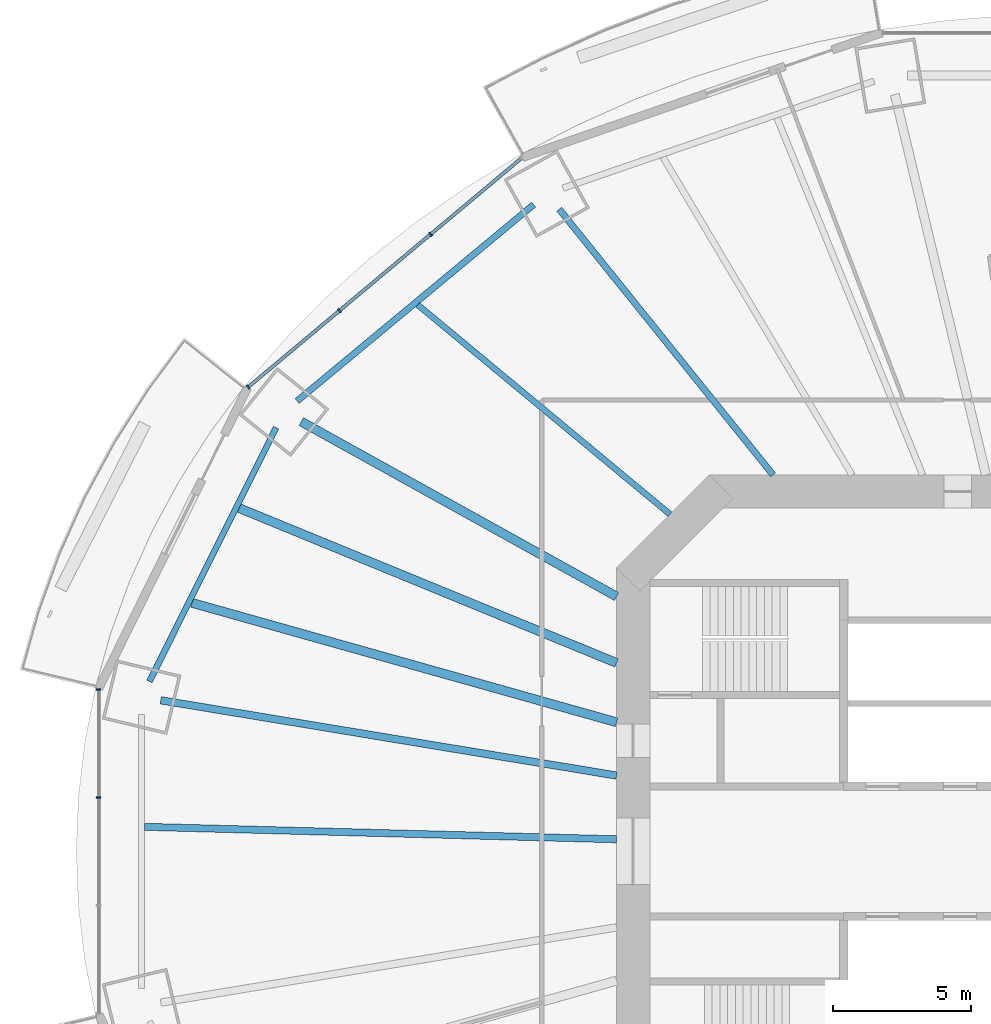
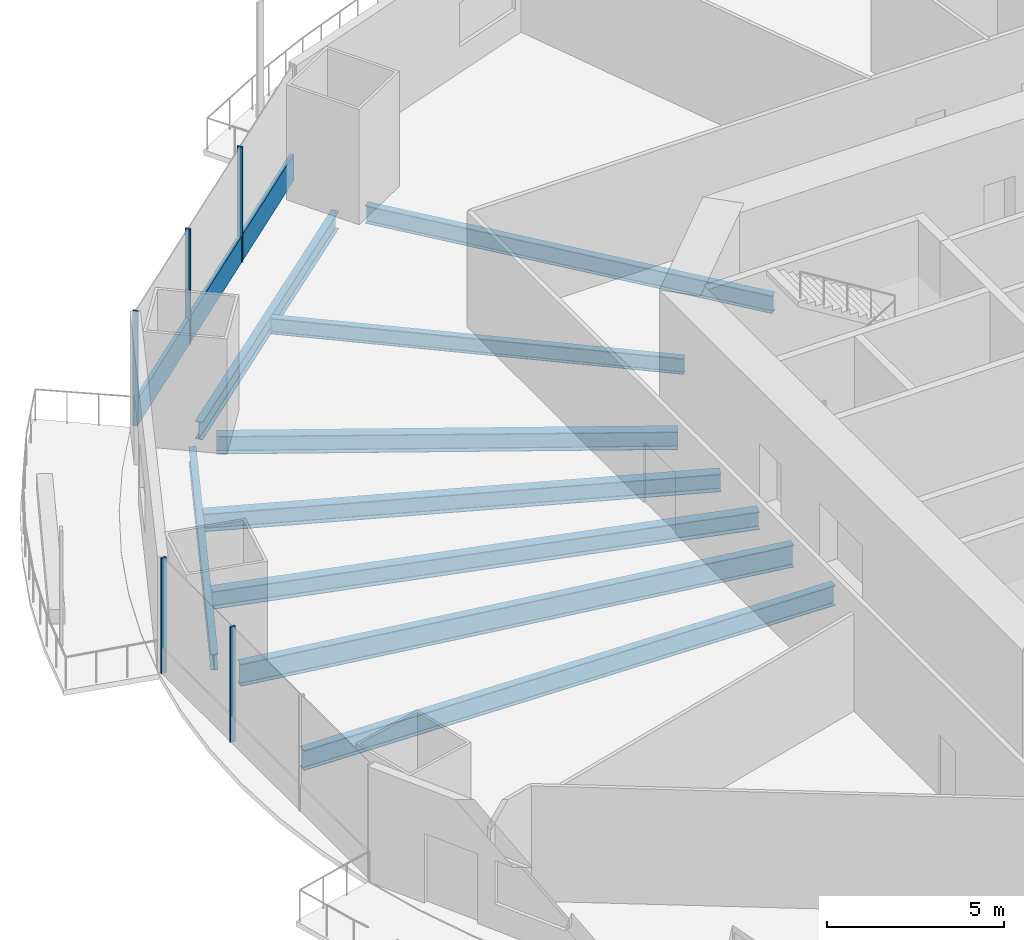
# One storey, part 6 of 23: 9 beams, 6 members, 2 elements without a shape of their own.
"""IFC4 building model written with IfcOpenShell, lengths in metres."""

import ifcopenshell
import ifcopenshell.guid

model = None  # the IFC model being written
_history = None  # IfcOwnerHistory: only IFC2X3 demands one
_inside = {}  # id of a spatial element -> (the spatial element, [elements in it])
_under = {}  # id of a project, library or spatial element -> (it, [spatial elements below it])
_declared = {}  # id of a project -> (the project, [libraries it declares])
_typed = {}  # id of a type object -> (the type object, [elements of that type])
_made_of = {}  # id of a material, layer set ... -> (it, [elements and type objects made of it])


def new_model(schema):
    """Start an empty IFC model of exactly this schema.

    Asked for "IFC4X3", IfcOpenShell would pick the latest addendum, in which some entities
    have other attributes; the version numbers below select the first issue.
    IFC2X3 requires an IfcOwnerHistory on every rooted entity: one is made here for all.
    """
    global model, _history
    if schema == "IFC4X3":
        model = ifcopenshell.file(schema_version=(4, 3, 0, 0))
    else:
        model = ifcopenshell.file(schema=schema)
    _inside.clear()
    _under.clear()
    _declared.clear()
    _typed.clear()
    _made_of.clear()
    _history = None
    if model.schema == "IFC2X3":
        org = make("IfcOrganization", Name="unknown")
        user = make(
            "IfcPersonAndOrganization",
            ThePerson=make("IfcPerson", FamilyName="unknown"),
            TheOrganization=org,
        )
        app = make(
            "IfcApplication",
            ApplicationDeveloper=org,
            Version="unknown",
            ApplicationFullName="unknown",
            ApplicationIdentifier="unknown",
        )
        _history = make(
            "IfcOwnerHistory",
            OwningUser=user,
            OwningApplication=app,
            ChangeAction="ADDED",
            CreationDate=0,
        )
    return model


def make(cls, **values):
    """One entity of the class cls with the attributes given. An attribute that is None is left unset."""
    return model.create_entity(
        cls, **{name: value for name, value in values.items() if value is not None}
    )


def rooted(cls, **values):
    """An entity with a GlobalId (a new one), such as an element, a storey or a relation."""
    return make(cls, GlobalId=ifcopenshell.guid.new(), OwnerHistory=_history, **values)


def si_unit(unit_type, name, prefix=None):
    """IfcSIUnit, for example si_unit("LENGTHUNIT", "METRE", prefix="MILLI")."""
    return make("IfcSIUnit", UnitType=unit_type, Prefix=prefix, Name=name)


def assignment(units):
    """IfcUnitAssignment: the units of a project."""
    return None if units is None else make("IfcUnitAssignment", Units=units)


def point(xyz):
    """IfcCartesianPoint."""
    return None if xyz is None else make("IfcCartesianPoint", Coordinates=xyz)


def direction(xyz):
    """IfcDirection."""
    return None if xyz is None else make("IfcDirection", DirectionRatios=xyz)


def frame(location, z_axis=None, x_axis=None):
    """IfcAxis2Placement3D, a coordinate frame: its origin and axes. An axis left out is left unset."""
    return make(
        "IfcAxis2Placement3D",
        Location=point(location),
        Axis=direction(z_axis),
        RefDirection=direction(x_axis),
    )


def frame_2d(location, x_axis=None):
    """IfcAxis2Placement2D, a coordinate frame in the plane: its origin and x axis."""
    return make(
        "IfcAxis2Placement2D", Location=point(location), RefDirection=direction(x_axis)
    )


def origin():
    """The frame at (0, 0, 0) with its axes left unset."""
    return frame((0.0, 0.0, 0.0))


def origin_2d():
    """The frame at (0, 0) in the plane with its x axis left unset."""
    return frame_2d((0.0, 0.0))


def place(relative_to, where):
    """IfcLocalPlacement: puts the frame where relative to a parent placement (None: the world)."""
    return make(
        "IfcLocalPlacement", PlacementRelTo=relative_to, RelativePlacement=where
    )


def context(
    kind, dimensions, precision=None, world=None, true_north=None, identifier=None
):
    """IfcGeometricRepresentationContext, for example the 3D "Model" context."""
    return make(
        "IfcGeometricRepresentationContext",
        ContextIdentifier=identifier,
        ContextType=kind,
        CoordinateSpaceDimension=dimensions,
        Precision=precision,
        WorldCoordinateSystem=world,
        TrueNorth=true_north,
    )


def subcontext(parent, identifier, kind, view, scale=None):
    """IfcGeometricRepresentationSubContext, for example "Body" below "Model"."""
    return make(
        "IfcGeometricRepresentationSubContext",
        ContextIdentifier=identifier,
        ContextType=kind,
        ParentContext=parent,
        TargetScale=scale,
        TargetView=view,
    )


def project(units=None, contexts=None):
    """IfcProject with its units and contexts."""
    return rooted(
        "IfcProject",
        Name="project",
        RepresentationContexts=contexts,
        UnitsInContext=assignment(units),
    )


def spatial(cls, under=None, at=None, **own):
    """A site, building, storey or space (cls), placed at a placement, below another one or the project."""
    s = rooted(cls, ObjectPlacement=at, **own)
    if under is not None:
        _under.setdefault(under.id(), (under, []))[1].append(s)
    return s


def profile(cls, at=None, kind="AREA", **sizes):
    """A parametric profile (cls). Its sizes go by their IFC names, for example OverallWidth=200.0."""
    return make(cls, ProfileType=kind, Position=at, **sizes)


def rectangle(**sizes):
    """IfcRectangleProfileDef."""
    return profile("IfcRectangleProfileDef", **sizes)


def i_section(**sizes):
    """IfcIShapeProfileDef."""
    return profile("IfcIShapeProfileDef", **sizes)


def extrude(swept, where, along, depth):
    """IfcExtrudedAreaSolid: the profile swept, set in the frame where, extruded along a direction by depth."""
    return make(
        "IfcExtrudedAreaSolid",
        SweptArea=swept,
        Position=where,
        ExtrudedDirection=direction(along),
        Depth=depth,
    )


def shape(context_of_items, identifier, shape_type, items):
    """IfcShapeRepresentation: the items that make up one representation, for example the "Body"."""
    return make(
        "IfcShapeRepresentation",
        ContextOfItems=context_of_items,
        RepresentationIdentifier=identifier,
        RepresentationType=shape_type,
        Items=items,
    )


def material(Name=None, Category=None):
    """IfcMaterial."""
    return make("IfcMaterial", Name=Name, Category=Category)


def material_profile(
    of_material, cross_section, Name=None, Category=None, Priority=None
):
    """IfcMaterialProfile: a cross section and its material."""
    return make(
        "IfcMaterialProfile",
        Name=Name,
        Material=of_material,
        Profile=cross_section,
        Priority=Priority,
        Category=Category,
    )


def profile_set(profiles, Name=None, composite=None):
    """IfcMaterialProfileSet."""
    return make(
        "IfcMaterialProfileSet",
        Name=Name,
        MaterialProfiles=profiles,
        CompositeProfile=composite,
    )


def made_of(thing, what):
    """Note that an element or type object is made of a material, layer set ...; save() writes the relation."""
    if what is not None:
        _made_of.setdefault(what.id(), (what, []))[1].append(thing)
    return thing


def type_object(cls, material=None, **own):
    """A type object (cls), such as IfcWallType, which elements share."""
    return made_of(rooted(cls, **own), material)


def element(
    cls,
    number,
    at=None,
    inside=None,
    cuts=None,
    type_object=None,
    material=None,
    context=None,
    identifier="Body",
    shape_type=None,
    held_by="IfcProductDefinitionShape",
    body=None,
    shapes=None,
    **own,
):
    """One element of the class cls, such as IfcWall. Its Tag is "e" and its number.

    at: its placement. inside: the storey or other place that contains it. cuts: it is an
    opening in that element (IfcRelVoidsElement). A single representation is given by context,
    identifier, shape_type and body (its items); several are given by shapes. held_by: the class
    of the entity that holds the representations. save() writes the other relations.
    """
    e = rooted(cls, Tag="e%d" % number, ObjectPlacement=at, **own)
    if body is not None:
        shapes = [shape(context, identifier, shape_type, body)]
    if shapes is not None:
        e.Representation = make(held_by, Representations=shapes)
    if inside is not None:
        _inside.setdefault(inside.id(), (inside, []))[1].append(e)
    if cuts is not None:
        rooted(
            "IfcRelVoidsElement", RelatingBuildingElement=cuts, RelatedOpeningElement=e
        )
    if type_object is not None:
        _typed.setdefault(type_object.id(), (type_object, []))[1].append(e)
    return made_of(e, material)


def aggregate(whole, parts):
    """IfcRelAggregates: a whole, such as a stair, and the parts it consists of."""
    return rooted("IfcRelAggregates", RelatingObject=whole, RelatedObjects=parts)


def save(model, path):
    """Write the relations noted so far, then the file.

    IfcRelAggregates (storeys below a building ...), IfcRelContainedInSpatialStructure (elements
    in a storey), IfcRelDefinesByType, IfcRelAssociatesMaterial and IfcRelDeclares: one each for
    every whole, place, type object, material and project.
    """
    for whole, parts in _under.values():
        aggregate(whole, parts)
    for where, things in _inside.values():
        rooted(
            "IfcRelContainedInSpatialStructure",
            RelatedElements=things,
            RelatingStructure=where,
        )
    for kind, things in _typed.values():
        rooted("IfcRelDefinesByType", RelatedObjects=things, RelatingType=kind)
    for what, things in _made_of.values():
        rooted("IfcRelAssociatesMaterial", RelatedObjects=things, RelatingMaterial=what)
    for by, libraries in _declared.values():
        rooted("IfcRelDeclares", RelatingContext=by, RelatedDefinitions=libraries)
    model.write(path)


model = new_model("IFC4")

# Units and contexts
model_context = context("Model", 3, precision=1e-05, world=origin(), true_north=direction((0.0, 1.0)))
body_context = subcontext(model_context, "Body", "Model", "MODEL_VIEW")
ifc_project = project(units=[si_unit("LENGTHUNIT", "METRE"), si_unit("AREAUNIT", "SQUARE_METRE"), si_unit("VOLUMEUNIT", "CUBIC_METRE"), si_unit("PLANEANGLEUNIT", "RADIAN"), si_unit("MASSUNIT", "GRAM", prefix="KILO")], contexts=[model_context])

# Site, building, storey
site_placement = place(None, origin())
site = spatial("IfcSite", under=ifc_project, at=site_placement, CompositionType="ELEMENT")
building_placement = place(site_placement, origin())
building = spatial("IfcBuilding", under=site, at=building_placement, Name="Marenthal Gate Tower", CompositionType="ELEMENT")
storey_placement = place(building_placement, frame((0.0, 0.0, 62.050048828125)))
storey = spatial("IfcBuildingStorey", under=building, at=storey_placement, Name="L11", CompositionType="ELEMENT", Elevation=62.050048828125)

# Curtain wall, members
ifc_material_1 = material(Name="Aluminium and glass", Category="aluminium")
curtain_wall_type = type_object("IfcCurtainWallType", Name="Curtain wall typical low", PredefinedType="NOTDEFINED", material=ifc_material_1)
curtain_wall_1_placement = place(storey_placement, origin())
curtain_wall_1 = element("IfcCurtainWall", 1, at=curtain_wall_1_placement, inside=storey, type_object=curtain_wall_type, Name="Curtain wall L11 bay 6", PredefinedType="NOTDEFINED")
ifc_material_2 = material(Name="Aluminium", Category="aluminium")
ifc_material_profile_1 = material_profile(ifc_material_2, rectangle(XDim=0.159912109375, YDim=0.06005859375, at=origin_2d()), Name="60x160 aluminium mullion")
ifc_profile_set_1 = profile_set([ifc_material_profile_1], Name="Aluminium")
member_type_1 = type_object("IfcMemberType", Name="Mullion 60x160 typical low", PredefinedType="MULLION", material=ifc_profile_set_1)
member_1_placement = place(storey_placement, frame((-23.315673828125, 22.288818359375, 0.0), z_axis=(0.0, 0.0, 1.0), x_axis=(0.642111737517, -0.766611059497, 0.0)))
member_1 = element("IfcMember", 2, at=member_1_placement, type_object=member_type_1, Name="Mullion L11 bay 6.2", PredefinedType="MULLION", context=body_context, shape_type="SweptSolid", body=[
    extrude(rectangle(XDim=0.159912109375, YDim=0.06005859375, at=origin_2d()), origin(), (0.0, 0.0, 1.0), 3.969970703125),
])
member_2_placement = place(storey_placement, frame((-26.61083984375, 19.529052734375, 0.0), z_axis=(0.0, 0.0, 1.0), x_axis=(0.642111737517, -0.766611059497, 0.0)))
member_2 = element("IfcMember", 3, at=member_2_placement, type_object=member_type_1, Name="Mullion L11 bay 6.3", PredefinedType="MULLION", context=body_context, shape_type="SweptSolid", body=[
    extrude(rectangle(XDim=0.159912109375, YDim=0.06005859375, at=origin_2d()), origin(), (0.0, 0.0, 1.0), 3.969970703125),
])
member_3_placement = place(storey_placement, frame((-29.90576171875, 16.76904296875, 0.0), z_axis=(0.0, 0.0, 1.0), x_axis=(0.642111737517, -0.766611059497, 0.0)))
member_3 = element("IfcMember", 4, at=member_3_placement, type_object=member_type_1, Name="Mullion L11 bay 6.4", PredefinedType="MULLION", context=body_context, shape_type="SweptSolid", body=[
    extrude(rectangle(XDim=0.159912109375, YDim=0.06005859375, at=origin_2d()), origin(), (0.0, 0.0, 1.0), 3.969970703125),
])

curtain_wall_2_placement = place(storey_placement, origin())
curtain_wall_2 = element("IfcCurtainWall", 5, at=curtain_wall_2_placement, inside=storey, type_object=curtain_wall_type, Name="Curtain wall L11 bay 8", PredefinedType="NOTDEFINED")
member_4_placement = place(storey_placement, frame((-35.303466796875, 5.851806640625, 0.0), z_axis=(0.0, 0.0, 1.0), x_axis=(1.0, 0.0, 0.0)))
member_4 = element("IfcMember", 6, at=member_4_placement, type_object=member_type_1, Name="Mullion L11 bay 8.1", PredefinedType="MULLION", context=body_context, shape_type="SweptSolid", body=[
    extrude(rectangle(XDim=0.159912109375, YDim=0.06005859375, at=origin_2d()), origin(), (0.0, 0.0, 1.0), 3.969970703125),
])
member_5_placement = place(storey_placement, frame((-35.303466796875, 1.95068359375, 0.0), z_axis=(0.0, 0.0, 1.0), x_axis=(1.0, 0.0, 0.0)))
member_5 = element("IfcMember", 7, at=member_5_placement, type_object=member_type_1, Name="Mullion L11 bay 8.2", PredefinedType="MULLION", context=body_context, shape_type="SweptSolid", body=[
    extrude(rectangle(XDim=0.159912109375, YDim=0.06005859375, at=origin_2d()), origin(), (0.0, 0.0, 1.0), 3.969970703125),
])
aggregate(curtain_wall_2, [member_4, member_5])

# Member
ifc_material_3 = material(Name="Aluminium", Category="aluminium")
ifc_material_profile_2 = material_profile(ifc_material_3, rectangle(XDim=0.1201171875, YDim=0.89990234375, at=origin_2d()), Name="120x900 aluminium transom")
ifc_profile_set_2 = profile_set([ifc_material_profile_2], Name="Aluminium")
member_type_2 = type_object("IfcMemberType", Name="Transom 120x900 typical low", PredefinedType="USERDEFINED", material=ifc_profile_set_2)
member_6_placement = place(storey_placement, frame((-20.043701171875, 25.029541015625, 0.449951171875), z_axis=(-0.766611330769, -0.642111413648, 0.0), x_axis=(0.642111413648, -0.766611330769, 0.0)))
member_6 = element("IfcMember", 8, at=member_6_placement, type_object=member_type_2, Name="Transom L11 bay 6", ObjectType="TRANSOM", PredefinedType="USERDEFINED", context=body_context, shape_type="SweptSolid", body=[
    extrude(rectangle(XDim=0.1201171875, YDim=0.89990234375, at=origin_2d()), origin(), (0.0, 0.0, 1.0), 12.83447265625),
])

aggregate(curtain_wall_1, [member_1, member_2, member_3, member_6])

# Beams
ifc_material_4 = material(Name="Steel S355", Category="steel")
ifc_material_profile_3 = material_profile(ifc_material_4, i_section(OverallWidth=0.2119140625, OverallDepth=0.5439453125, WebThickness=0.01318359375, FlangeThickness=0.021240234375, FilletRadius=0.0126953125, at=origin_2d()), Name="W530X123")
ifc_profile_set_3 = profile_set([ifc_material_profile_3], Name="Steel S355")
beam_type_1 = type_object("IfcBeamType", Name="W530X123 beam", PredefinedType="BEAM", material=ifc_profile_set_3)
beam_1_placement = place(storey_placement, frame((-23.77783203125, 19.73876953125, -0.4521484375), z_axis=(0.769432069778, -0.638728651304, 0.0), x_axis=(0.638728651304, 0.769432069778, 0.0)))
element("IfcBeam", 9, at=beam_1_placement, inside=storey, type_object=beam_type_1, Name="BM-L11-25", PredefinedType="BEAM", context=body_context, shape_type="SweptSolid", body=[
    extrude(i_section(OverallWidth=0.2119140625, OverallDepth=0.5439453125, WebThickness=0.01318359375, FlangeThickness=0.021240234375, FilletRadius=0.0126953125, at=origin_2d()), origin(), (0.0, 0.0, 1.0), 11.8369140625),
])
beam_2_placement = place(storey_placement, frame((-28.894287109375, 15.31201171875, -0.4521484375), z_axis=(-0.446499206551, -0.894784028998, 0.0), x_axis=(0.894784028998, -0.446499206551, 0.0)))
element("IfcBeam", 10, at=beam_2_placement, inside=storey, type_object=beam_type_1, Name="BM-L11-47", PredefinedType="BEAM", context=body_context, shape_type="SweptSolid", body=[
    extrude(i_section(OverallWidth=0.2119140625, OverallDepth=0.5439453125, WebThickness=0.01318359375, FlangeThickness=0.021240234375, FilletRadius=0.0126953125, at=origin_2d()), origin(), (0.0, 0.0, 1.0), 10.25439453125),
])
ifc_material_5 = material(Name="Steel S355", Category="steel")
ifc_material_profile_4 = material_profile(ifc_material_5, i_section(OverallWidth=0.22900390625, OverallDepth=0.612060546875, WebThickness=0.011962890625, FlangeThickness=0.01953125, FilletRadius=0.0126953125, at=origin_2d()), Name="W610X125")
ifc_profile_set_4 = profile_set([ifc_material_profile_4], Name="Steel S355")
beam_type_2 = type_object("IfcBeamType", Name="W610X125 beam", PredefinedType="BEAM", material=ifc_profile_set_4)
beam_3_placement = place(storey_placement, frame((-18.669921875, 23.195068359375, -0.486083984375), z_axis=(0.62702730147, -0.778997280618, 0.0), x_axis=(0.778997280618, 0.62702730147, 0.0)))
element("IfcBeam", 11, at=beam_3_placement, inside=storey, type_object=beam_type_2, Name="BM-L11-06", PredefinedType="BEAM", context=body_context, shape_type="SweptSolid", body=[
    extrude(i_section(OverallWidth=0.22900390625, OverallDepth=0.612060546875, WebThickness=0.011962890625, FlangeThickness=0.01953125, FilletRadius=0.0126953125, at=origin_2d()), origin(), (0.0, 0.0, 1.0), 12.317138671875),
])
beam_4_placement = place(storey_placement, frame((-19.596435546875, 23.358642578125, -0.486083984375), z_axis=(-0.769424366687, -0.63873793057, 0.0), x_axis=(0.63873793057, -0.769424366687, 0.0)))
element("IfcBeam", 12, at=beam_4_placement, inside=storey, type_object=beam_type_2, Name="BM-L11-46", PredefinedType="BEAM", context=body_context, shape_type="SweptSolid", body=[
    extrude(i_section(OverallWidth=0.22900390625, OverallDepth=0.612060546875, WebThickness=0.011962890625, FlangeThickness=0.01953125, FilletRadius=0.0126953125, at=origin_2d()), origin(), (0.0, 0.0, 1.0), 11.0986328125),
])
ifc_material_6 = material(Name="Steel S355", Category="steel")
ifc_material_profile_5 = material_profile(ifc_material_6, i_section(OverallWidth=0.324951171875, OverallDepth=0.612060546875, WebThickness=0.0126953125, FlangeThickness=0.01904296875, FilletRadius=0.0126953125, at=origin_2d()), Name="W610X155")
ifc_profile_set_5 = profile_set([ifc_material_profile_5], Name="Steel S355")
beam_type_3 = type_object("IfcBeamType", Name="W610X155 beam", PredefinedType="BEAM", material=ifc_profile_set_5)
beam_5_placement = place(storey_placement, frame((-27.9873046875, 15.52392578125, -0.486083984375), z_axis=(0.874477229212, -0.485066568204, 0.0), x_axis=(0.485066568204, 0.874477229212, 0.0)))
element("IfcBeam", 13, at=beam_5_placement, inside=storey, type_object=beam_type_3, Name="BM-L11-07", PredefinedType="BEAM", context=body_context, shape_type="SweptSolid", body=[
    extrude(i_section(OverallWidth=0.324951171875, OverallDepth=0.612060546875, WebThickness=0.0126953125, FlangeThickness=0.01904296875, FilletRadius=0.0126953125, at=origin_2d()), origin(), (0.0, 0.0, 1.0), 13.021728515625),
])
beam_6_placement = place(storey_placement, frame((-30.2294921875, 12.39892578125, -0.486083984375), z_axis=(0.925197564596, -0.379485792178, 0.0), x_axis=(0.379485792178, 0.925197564596, 0.0)))
element("IfcBeam", 14, at=beam_6_placement, inside=storey, type_object=beam_type_3, Name="BM-L11-26", PredefinedType="BEAM", context=body_context, shape_type="SweptSolid", body=[
    extrude(i_section(OverallWidth=0.324951171875, OverallDepth=0.612060546875, WebThickness=0.0126953125, FlangeThickness=0.01904296875, FilletRadius=0.0126953125, at=origin_2d()), origin(), (0.0, 0.0, 1.0), 14.7314453125),
])
beam_7_placement = place(storey_placement, frame((-31.93701171875, 8.977294921875, -0.486083984375), z_axis=(0.962687377479, -0.270615988521, 0.0), x_axis=(0.270615988521, 0.962687377479, 0.0)))
element("IfcBeam", 15, at=beam_7_placement, inside=storey, type_object=beam_type_3, Name="BM-L11-27", PredefinedType="BEAM", context=body_context, shape_type="SweptSolid", body=[
    extrude(i_section(OverallWidth=0.324951171875, OverallDepth=0.612060546875, WebThickness=0.0126953125, FlangeThickness=0.01904296875, FilletRadius=0.0126953125, at=origin_2d()), origin(), (0.0, 0.0, 1.0), 15.931396484375),
])
ifc_material_7 = material(Name="Steel S355", Category="steel")
ifc_material_profile_6 = material_profile(ifc_material_7, i_section(OverallWidth=0.257080078125, OverallDepth=0.693115234375, WebThickness=0.014404296875, FlangeThickness=0.023681640625, FilletRadius=0.015380859375, at=origin_2d()), Name="W690X170")
ifc_profile_set_6 = profile_set([ifc_material_profile_6], Name="Steel S355")
beam_type_4 = type_object("IfcBeamType", Name="W690X170 beam", PredefinedType="BEAM", material=ifc_profile_set_6)
beam_8_placement = place(storey_placement, frame((-33.647705078125, 0.888916015625, -0.526611328125), z_axis=(0.999651487797, -0.026398919379, 0.0), x_axis=(0.026398919379, 0.999651487797, 0.0)))
element("IfcBeam", 16, at=beam_8_placement, inside=storey, type_object=beam_type_4, Name="BM-L11-28", PredefinedType="BEAM", context=body_context, shape_type="SweptSolid", body=[
    extrude(i_section(OverallWidth=0.257080078125, OverallDepth=0.693115234375, WebThickness=0.014404296875, FlangeThickness=0.023681640625, FilletRadius=0.015380859375, at=origin_2d()), origin(), (0.0, 0.0, 1.0), 17.053466796875),
])
ifc_material_8 = material(Name="Steel S355", Category="steel")
ifc_material_profile_7 = material_profile(ifc_material_8, i_section(OverallWidth=0.26708984375, OverallDepth=0.761962890625, WebThickness=0.014404296875, FlangeThickness=0.021484375, FilletRadius=0.0166015625, at=origin_2d()), Name="W760X173")
ifc_profile_set_7 = profile_set([ifc_material_profile_7], Name="Steel S355")
beam_type_5 = type_object("IfcBeamType", Name="W760X173 beam", PredefinedType="BEAM", material=ifc_profile_set_7)
beam_9_placement = place(storey_placement, frame((-33.06005859375, 5.458984375, -0.56103515625), z_axis=(0.986638832435, -0.16292272503, 0.0), x_axis=(0.16292272503, 0.986638832435, 0.0)))
element("IfcBeam", 17, at=beam_9_placement, inside=storey, type_object=beam_type_5, Name="BM-L11-08", PredefinedType="BEAM", context=body_context, shape_type="SweptSolid", body=[
    extrude(i_section(OverallWidth=0.26708984375, OverallDepth=0.761962890625, WebThickness=0.014404296875, FlangeThickness=0.021484375, FilletRadius=0.0166015625, at=origin_2d()), origin(), (0.0, 0.0, 1.0), 16.682861328125),
])

save(model, "model.ifc")
